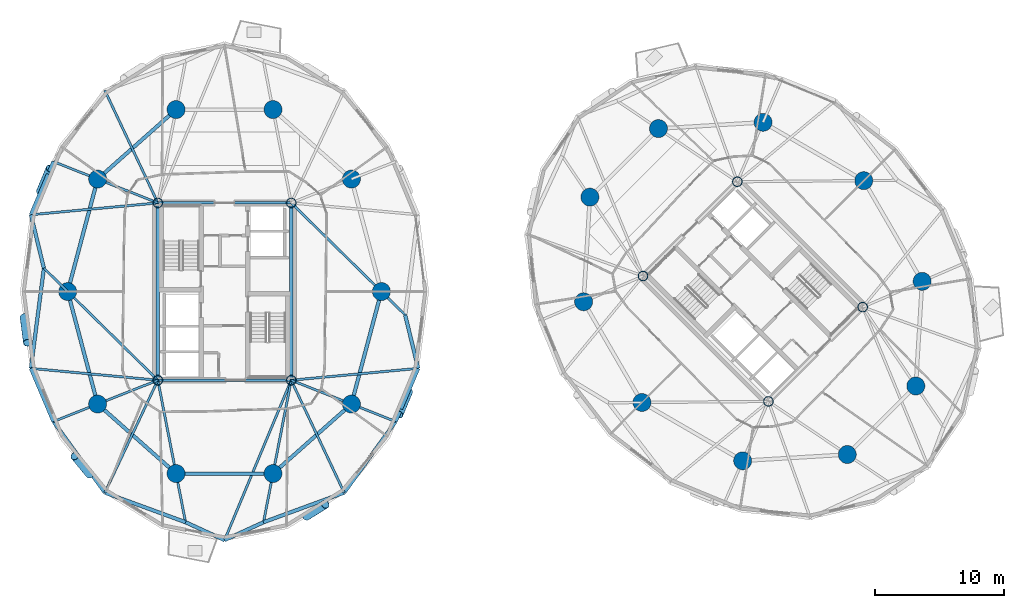
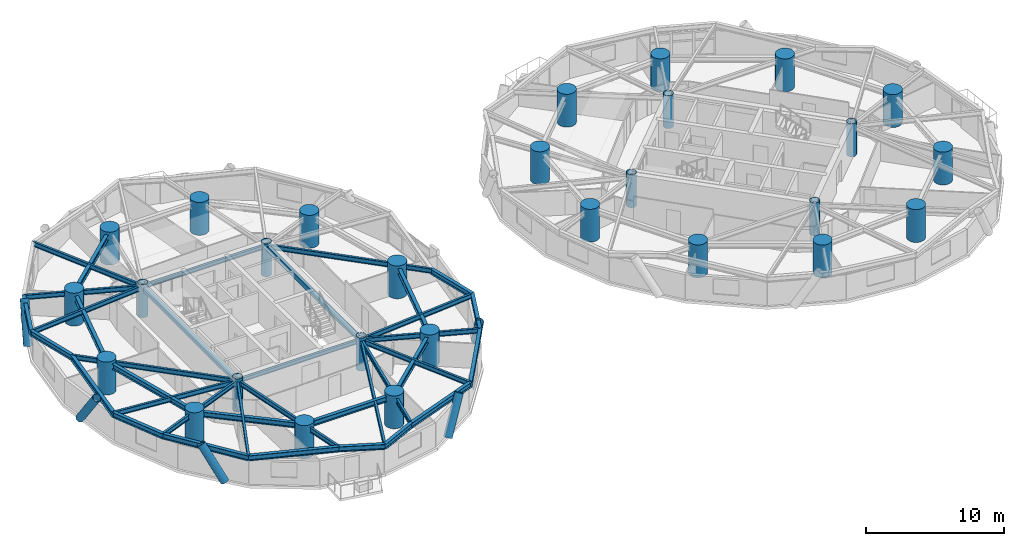
# One storey, part 1 of 17: 38 beams, 28 columns, 5 members.
"""IFC4 building model written with IfcOpenShell, lengths in metres."""

from ifc_helpers import new_model, si_unit, direction, frame, origin, origin_2d, place, context, subcontext, project, spatial, hollow_rectangle, circle, hollow_circle, i_section, extrude, material, material_profile, profile_set, type_object, element, save


model = new_model("IFC4")

# Units and contexts
model_context = context("Model", 3, precision=1e-05, world=origin(), true_north=direction((0.0, 1.0)))
body_context = subcontext(model_context, "Body", "Model", "MODEL_VIEW")
ifc_project = project(units=[si_unit("LENGTHUNIT", "METRE"), si_unit("AREAUNIT", "SQUARE_METRE"), si_unit("VOLUMEUNIT", "CUBIC_METRE"), si_unit("PLANEANGLEUNIT", "RADIAN"), si_unit("MASSUNIT", "GRAM", prefix="KILO")], contexts=[model_context])

# Site, building, storey
site_placement = place(None, origin())
site = spatial("IfcSite", under=ifc_project, at=site_placement, CompositionType="ELEMENT")
building_placement = place(site_placement, origin())
building = spatial("IfcBuilding", under=site, at=building_placement, Name="Cununo Teusaquillo Station Towers", CompositionType="ELEMENT")
storey_placement = place(building_placement, frame((0.0, 0.0, 96.340087890625)))
storey = spatial("IfcBuildingStorey", under=building, at=storey_placement, Name="L30", CompositionType="ELEMENT", Elevation=96.340087890625)

# Columns
ifc_material_1 = material(Name="Steel EN 10025-2 S355J2", Category="steel")
ifc_material_profile_1 = material_profile(ifc_material_1, hollow_circle(Radius=0.3798828125, WallThickness=0.031982421875, at=origin_2d()), Name="CHS 760x32")
ifc_profile_set_1 = profile_set([ifc_material_profile_1], Name="Steel EN 10025-2 S355J2")
column_type_1 = type_object("IfcColumnType", Name="COL-CORE-Z2", PredefinedType="COLUMN", material=ifc_profile_set_1)
for number, where, z_axis, x_axis, name in (
    (1, (11.324951171875, 17.6201171875, 0.0), (0.0, 0.0, 1.0), (1.0, 0.0, 0.0), "L30 Tower A Core Column 1"),
    (2, (11.324951171875, 31.3798828125, 0.0), (0.0, 0.0, 1.0), (1.0, 0.0, 0.0), "L30 Tower A Core Column 2"),
    (3, (21.675048828125, 17.6201171875, 0.0), (0.0, 0.0, 1.0), (1.0, 0.0, 0.0), "L30 Tower A Core Column 3"),
    (4, (21.675048828125, 31.3798828125, 0.0), (0.0, 0.0, 1.0), (1.0, 0.0, 0.0), "L30 Tower A Core Column 4"),
    (5, (58.70556640625, 15.975830078125, 0.0), (0.0, 0.0, 1.0), (0.707106781187, 0.707106781187, 0.0), "L30 Tower B Core Column 1"),
    (6, (48.975830078125, 25.70556640625, 0.0), (0.0, 0.0, 1.0), (0.707106781187, 0.707106781187, 0.0), "L30 Tower B Core Column 2"),
    (7, (66.024169921875, 23.29443359375, 0.0), (0.0, 0.0, 1.0), (0.707106781187, 0.707106781187, 0.0), "L30 Tower B Core Column 3"),
    (8, (56.29443359375, 33.024169921875, 0.0), (0.0, 0.0, 1.0), (0.707106781187, 0.707106781187, 0.0), "L30 Tower B Core Column 4"),
):
    element("IfcColumn", number, at=place(storey_placement, frame(where, z_axis=z_axis, x_axis=x_axis)), inside=storey, type_object=column_type_1, Name=name, PredefinedType="COLUMN", context=body_context, shape_type="SweptSolid", body=[
        extrude(hollow_circle(Radius=0.3798828125, WallThickness=0.031982421875, at=origin_2d()), origin(), (0.0, 0.0, 1.0), 2.909912109375),
    ])
ifc_material_2 = material(Name="Concrete C60/75", Category="concrete")
ifc_material_profile_2 = material_profile(ifc_material_2, circle(Radius=0.699951171875, at=origin_2d()), Name="RC-CIRC-1400")
ifc_profile_set_2 = profile_set([ifc_material_profile_2], Name="Concrete C60/75")
column_type_2 = type_object("IfcColumnType", Name="COL-MEGA-Z2", PredefinedType="USERDEFINED", material=ifc_profile_set_2)
for number, where, z_axis, x_axis, name in (
    (9, (28.672119140625, 24.5, 0.0), (0.0, 0.0, 1.0), (1.0, 0.0, 0.0), "L30 Tower A Perimeter Column V00"),
    (10, (26.347412109375, 33.228515625, 0.0), (0.0, 0.0, 1.0), (1.0, 0.0, 0.0), "L30 Tower A Perimeter Column V02"),
    (11, (20.261474609375, 38.623291015625, 0.0), (0.0, 0.0, 1.0), (1.0, 0.0, 0.0), "L30 Tower A Perimeter Column V04"),
    (12, (12.738525390625, 38.623291015625, 0.0), (0.0, 0.0, 1.0), (1.0, 0.0, 0.0), "L30 Tower A Perimeter Column V06"),
    (13, (6.652587890625, 33.228515625, 0.0), (0.0, 0.0, 1.0), (1.0, 0.0, 0.0), "L30 Tower A Perimeter Column V08"),
    (14, (4.327880859375, 24.5, 0.0), (0.0, 0.0, 1.0), (1.0, 0.0, 0.0), "L30 Tower A Perimeter Column V10"),
    (15, (6.652587890625, 15.771484375, 0.0), (0.0, 0.0, 1.0), (1.0, 0.0, 0.0), "L30 Tower A Perimeter Column V12"),
    (16, (12.738525390625, 10.376708984375, 0.0), (0.0, 0.0, 1.0), (1.0, 0.0, 0.0), "L30 Tower A Perimeter Column V14"),
    (17, (20.261474609375, 10.376708984375, 0.0), (0.0, 0.0, 1.0), (1.0, 0.0, 0.0), "L30 Tower A Perimeter Column V16"),
    (18, (26.347412109375, 15.771484375, 0.0), (0.0, 0.0, 1.0), (1.0, 0.0, 0.0), "L30 Tower A Perimeter Column V18"),
    (19, (66.10693359375, 33.10693359375, 0.0), (0.0, 0.0, 1.0), (1.0, 0.0, 0.0), "L30 Tower B Perimeter Column V00"),
    (20, (58.291015625, 37.63525390625, 0.0), (0.0, 0.0, 1.0), (1.0, 0.0, 0.0), "L30 Tower B Perimeter Column V02"),
    (21, (50.173095703125, 37.146240234375, 0.0), (0.0, 0.0, 1.0), (1.0, 0.0, 0.0), "L30 Tower B Perimeter Column V04"),
    (22, (44.853759765625, 31.826904296875, 0.0), (0.0, 0.0, 1.0), (1.0, 0.0, 0.0), "L30 Tower B Perimeter Column V06"),
    (23, (44.36474609375, 23.708984375, 0.0), (0.0, 0.0, 1.0), (1.0, 0.0, 0.0), "L30 Tower B Perimeter Column V08"),
    (24, (48.89306640625, 15.89306640625, 0.0), (0.0, 0.0, 1.0), (1.0, 0.0, 0.0), "L30 Tower B Perimeter Column V10"),
    (25, (56.708984375, 11.36474609375, 0.0), (0.0, 0.0, 1.0), (1.0, 0.0, 0.0), "L30 Tower B Perimeter Column V12"),
    (26, (64.826904296875, 11.853759765625, 0.0), (0.0, 0.0, 1.0), (1.0, 0.0, 0.0), "L30 Tower B Perimeter Column V14"),
    (27, (70.146240234375, 17.173095703125, 0.0), (0.0, 0.0, 1.0), (1.0, 0.0, 0.0), "L30 Tower B Perimeter Column V16"),
    (28, (70.63525390625, 25.291015625, 0.0), (0.0, 0.0, 1.0), (1.0, 0.0, 0.0), "L30 Tower B Perimeter Column V18"),
):
    element("IfcColumn", number, at=place(storey_placement, frame(where, z_axis=z_axis, x_axis=x_axis)), inside=storey, type_object=column_type_2, Name=name, ObjectType="MEGA COLUMN", PredefinedType="USERDEFINED", context=body_context, shape_type="SweptSolid", body=[
        extrude(circle(Radius=0.699951171875, at=origin_2d()), origin(), (0.0, 0.0, 1.0), 2.909912109375),
    ])

# Beams
ifc_material_3 = material(Name="Steel EN 10025-2 S355J2", Category="steel")
ifc_material_profile_3 = material_profile(ifc_material_3, hollow_rectangle(XDim=0.25, YDim=0.449951171875, WallThickness=0.01611328125, at=origin_2d()), Name="RHS 450x250x16")
ifc_profile_set_3 = profile_set([ifc_material_profile_3], Name="Steel EN 10025-2 S355J2")
beam_type_1 = type_object("IfcBeamType", Name="BM-COUP-1", PredefinedType="USERDEFINED", material=ifc_profile_set_3)
for number, where, z_axis, x_axis, name in (
    (29, (11.324951171875, 17.6201171875, 2.44482421875), (0.0, 1.0, 0.0), (-1.0, 0.0, 0.0), "L30 Tower A Core Beam 1"),
    (30, (21.675048828125, 17.6201171875, 2.44482421875), (0.0, 1.0, 0.0), (-1.0, 0.0, 0.0), "L30 Tower A Core Beam 2"),
):
    element("IfcBeam", number, at=place(storey_placement, frame(where, z_axis=z_axis, x_axis=x_axis)), inside=storey, type_object=beam_type_1, Name=name, ObjectType="COUPLING BEAM", PredefinedType="USERDEFINED", context=body_context, shape_type="SweptSolid", body=[
        extrude(hollow_rectangle(XDim=0.25, YDim=0.449951171875, WallThickness=0.01611328125, at=origin_2d()), origin(), (0.0, 0.0, 1.0), 13.759765625),
    ])
ifc_material_4 = material(Name="Steel ASTM A572 Grade 50", Category="steel")
ifc_material_profile_4 = material_profile(ifc_material_4, i_section(OverallWidth=0.180908203125, OverallDepth=0.4169921875, WebThickness=0.010986328125, FlangeThickness=0.018310546875, FilletRadius=0.012939453125, at=origin_2d()), Name="W16X57")
ifc_profile_set_4 = profile_set([ifc_material_profile_4], Name="Steel ASTM A572 Grade 50")
beam_type_2 = type_object("IfcBeamType", Name="BM-JOIST-1", PredefinedType="JOIST", material=ifc_profile_set_4)
beam_1_placement = place(storey_placement, frame((11.324951171875, 31.3798828125, 2.46142578125), z_axis=(-0.426319838016, 0.904572493344, 0.0), x_axis=(-0.904572493344, -0.426319838016, 0.0)))
element("IfcBeam", 31, at=beam_1_placement, inside=storey, type_object=beam_type_2, Name="L30 Tower A Radial Spandrel Joist V07", PredefinedType="JOIST", context=body_context, shape_type="SweptSolid", body=[
    extrude(i_section(OverallWidth=0.180908203125, OverallDepth=0.4169921875, WebThickness=0.010986328125, FlangeThickness=0.018310546875, FilletRadius=0.012939453125, at=origin_2d()), origin(), (0.0, 0.0, 1.0), 9.646728515625),
])
for number, where, z_axis, x_axis, name in (
    (32, (11.324951171875, 31.3798828125, 2.46142578125), (-0.995678537907, -0.09286683558, 0.0), (0.09286683558, -0.995678537907, 0.0), "L30 Tower A Radial Spandrel Joist V09"),
    (33, (11.324951171875, 17.6201171875, 2.46142578125), (-0.995678537907, 0.09286683558, 0.0), (-0.09286683558, -0.995678537907, 0.0), "L30 Tower A Radial Spandrel Joist V11"),
):
    element("IfcBeam", number, at=place(storey_placement, frame(where, z_axis=z_axis, x_axis=x_axis)), inside=storey, type_object=beam_type_2, Name=name, PredefinedType="JOIST", context=body_context, shape_type="SweptSolid", body=[
        extrude(i_section(OverallWidth=0.180908203125, OverallDepth=0.4169921875, WebThickness=0.010986328125, FlangeThickness=0.018310546875, FilletRadius=0.012939453125, at=origin_2d()), origin(), (0.0, 0.0, 1.0), 9.895263671875),
    ])
beam_2_placement = place(storey_placement, frame((11.324951171875, 17.6201171875, 2.46142578125), z_axis=(-0.426319838016, -0.904572493344, 0.0), x_axis=(0.904572493344, -0.426319838016, 0.0)))
element("IfcBeam", 34, at=beam_2_placement, inside=storey, type_object=beam_type_2, Name="L30 Tower A Radial Spandrel Joist V13", PredefinedType="JOIST", context=body_context, shape_type="SweptSolid", body=[
    extrude(i_section(OverallWidth=0.180908203125, OverallDepth=0.4169921875, WebThickness=0.010986328125, FlangeThickness=0.018310546875, FilletRadius=0.012939453125, at=origin_2d()), origin(), (0.0, 0.0, 1.0), 9.646728515625),
])
beam_3_placement = place(storey_placement, frame((21.675048828125, 17.6201171875, 2.46142578125), z_axis=(-0.38487837995, -0.922967297713, 0.0), x_axis=(0.922967297713, -0.38487837995, 0.0)))
element("IfcBeam", 35, at=beam_3_placement, inside=storey, type_object=beam_type_2, Name="L30 Tower A Radial Spandrel Joist V15", PredefinedType="JOIST", context=body_context, shape_type="SweptSolid", body=[
    extrude(i_section(OverallWidth=0.180908203125, OverallDepth=0.4169921875, WebThickness=0.010986328125, FlangeThickness=0.018310546875, FilletRadius=0.012939453125, at=origin_2d()), origin(), (0.0, 0.0, 1.0), 13.446044921875),
])
beam_4_placement = place(storey_placement, frame((21.675048828125, 17.6201171875, 2.46142578125), z_axis=(0.426319838016, -0.904572493344, 0.0), x_axis=(0.904572493344, 0.426319838016, 0.0)))
element("IfcBeam", 36, at=beam_4_placement, inside=storey, type_object=beam_type_2, Name="L30 Tower A Radial Spandrel Joist V17", PredefinedType="JOIST", context=body_context, shape_type="SweptSolid", body=[
    extrude(i_section(OverallWidth=0.180908203125, OverallDepth=0.4169921875, WebThickness=0.010986328125, FlangeThickness=0.018310546875, FilletRadius=0.012939453125, at=origin_2d()), origin(), (0.0, 0.0, 1.0), 9.646728515625),
])
beam_5_placement = place(storey_placement, frame((21.675048828125, 17.6201171875, 2.46142578125), z_axis=(0.995678537907, 0.09286683558, 0.0), x_axis=(-0.09286683558, 0.995678537907, 0.0)))
element("IfcBeam", 37, at=beam_5_placement, inside=storey, type_object=beam_type_2, Name="L30 Tower A Radial Spandrel Joist V19", PredefinedType="JOIST", context=body_context, shape_type="SweptSolid", body=[
    extrude(i_section(OverallWidth=0.180908203125, OverallDepth=0.4169921875, WebThickness=0.010986328125, FlangeThickness=0.018310546875, FilletRadius=0.012939453125, at=origin_2d()), origin(), (0.0, 0.0, 1.0), 9.895263671875),
])
ifc_material_5 = material(Name="Steel ASTM A572 Grade 50", Category="steel")
ifc_material_profile_5 = material_profile(ifc_material_5, i_section(OverallWidth=0.2041015625, OverallDepth=0.35009765625, WebThickness=0.008544921875, FlangeThickness=0.01513671875, FilletRadius=0.011962890625, at=origin_2d()), Name="W14X48")
ifc_profile_set_5 = profile_set([ifc_material_profile_5], Name="Steel ASTM A572 Grade 50")
beam_type_3 = type_object("IfcBeamType", Name="BM-LINTEL-1", PredefinedType="LINTEL", material=ifc_profile_set_5)
for number, where, z_axis, x_axis, name in (
    (38, (11.324951171875, 17.6201171875, 2.494873046875), (1.0, 0.0, 0.0), (0.0, 1.0, 0.0), "L30 Tower A Core Beam 3"),
    (39, (11.324951171875, 31.3798828125, 2.494873046875), (1.0, 0.0, 0.0), (0.0, 1.0, 0.0), "L30 Tower A Core Beam 4"),
):
    element("IfcBeam", number, at=place(storey_placement, frame(where, z_axis=z_axis, x_axis=x_axis)), inside=storey, type_object=beam_type_3, Name=name, PredefinedType="LINTEL", context=body_context, shape_type="SweptSolid", body=[
        extrude(i_section(OverallWidth=0.2041015625, OverallDepth=0.35009765625, WebThickness=0.008544921875, FlangeThickness=0.01513671875, FilletRadius=0.011962890625, at=origin_2d()), origin(), (0.0, 0.0, 1.0), 10.35009765625),
    ])
ifc_material_6 = material(Name="Steel ASTM A572 Grade 50", Category="steel")
ifc_material_profile_6 = material_profile(ifc_material_6, i_section(OverallWidth=0.180908203125, OverallDepth=0.4169921875, WebThickness=0.010986328125, FlangeThickness=0.018310546875, FilletRadius=0.012939453125, at=origin_2d()), Name="W16X57")
ifc_profile_set_6 = profile_set([ifc_material_profile_6], Name="Steel ASTM A572 Grade 50")
beam_type_4 = type_object("IfcBeamType", Name="BM-RAD-G2", PredefinedType="BEAM", material=ifc_profile_set_6)
beam_6_placement = place(storey_placement, frame((21.675048828125, 31.3798828125, 2.46142578125), z_axis=(0.713047137857, -0.701116095375, 0.0), x_axis=(0.701116095375, 0.713047137857, 0.0)))
element("IfcBeam", 40, at=beam_6_placement, inside=storey, type_object=beam_type_4, Name="L30 Tower A Continuous Overhanging Radial Girder 01", PredefinedType="BEAM", context=body_context, shape_type="SweptSolid", body=[
    extrude(i_section(OverallWidth=0.180908203125, OverallDepth=0.4169921875, WebThickness=0.010986328125, FlangeThickness=0.018310546875, FilletRadius=0.012939453125, at=origin_2d()), origin(), (0.0, 0.0, 1.0), 12.400390625),
])
beam_7_placement = place(storey_placement, frame((11.324951171875, 31.3798828125, 2.46142578125), z_axis=(-0.929863123823, 0.367905654963, 0.0), x_axis=(-0.367905654963, -0.929863123823, 0.0)))
element("IfcBeam", 41, at=beam_7_placement, inside=storey, type_object=beam_type_4, Name="L30 Tower A Continuous Overhanging Radial Girder 05", PredefinedType="BEAM", context=body_context, shape_type="SweptSolid", body=[
    extrude(i_section(OverallWidth=0.180908203125, OverallDepth=0.4169921875, WebThickness=0.010986328125, FlangeThickness=0.018310546875, FilletRadius=0.012939453125, at=origin_2d()), origin(), (0.0, 0.0, 1.0), 8.715087890625),
])
beam_8_placement = place(storey_placement, frame((11.324951171875, 17.6201171875, 2.46142578125), z_axis=(-0.713052701438, 0.701110437073, 0.0), x_axis=(-0.701110437073, -0.713052701438, 0.0)))
element("IfcBeam", 42, at=beam_8_placement, inside=storey, type_object=beam_type_4, Name="L30 Tower A Radial Girder 06A", PredefinedType="BEAM", context=body_context, shape_type="SweptSolid", body=[
    extrude(i_section(OverallWidth=0.180908203125, OverallDepth=0.4169921875, WebThickness=0.010986328125, FlangeThickness=0.018310546875, FilletRadius=0.012939453125, at=origin_2d()), origin(), (0.0, 0.0, 1.0), 9.812744140625),
])
beam_9_placement = place(storey_placement, frame((4.327880859375, 24.5, 2.46142578125), z_axis=(-0.7130260383, 0.701137553342, 0.0), x_axis=(-0.701137553342, -0.7130260383, 0.0)))
element("IfcBeam", 43, at=beam_9_placement, inside=storey, type_object=beam_type_4, Name="L30 Tower A Perimeter Overhang Girder 06B", PredefinedType="BEAM", context=body_context, shape_type="SweptSolid", body=[
    extrude(i_section(OverallWidth=0.180908203125, OverallDepth=0.4169921875, WebThickness=0.010986328125, FlangeThickness=0.018310546875, FilletRadius=0.012939453125, at=origin_2d()), origin(), (0.0, 0.0, 1.0), 2.58740234375),
])
beam_10_placement = place(storey_placement, frame((11.324951171875, 17.6201171875, 2.46142578125), z_axis=(-0.929863123823, -0.367905654963, 0.0), x_axis=(0.367905654963, -0.929863123823, 0.0)))
element("IfcBeam", 44, at=beam_10_placement, inside=storey, type_object=beam_type_4, Name="L30 Tower A Continuous Overhanging Radial Girder 07", PredefinedType="BEAM", context=body_context, shape_type="SweptSolid", body=[
    extrude(i_section(OverallWidth=0.180908203125, OverallDepth=0.4169921875, WebThickness=0.010986328125, FlangeThickness=0.018310546875, FilletRadius=0.012939453125, at=origin_2d()), origin(), (0.0, 0.0, 1.0), 8.715087890625),
])
for number, where, z_axis, x_axis, name in (
    (45, (11.324951171875, 17.6201171875, 2.46142578125), (0.191552755713, -0.981482318628, 0.0), (0.981482318628, 0.191552755713, 0.0), "L30 Tower A Continuous Overhanging Radial Girder 08"),
    (46, (21.675048828125, 17.6201171875, 2.46142578125), (-0.191552755713, -0.981482318628, 0.0), (0.981482318628, -0.191552755713, 0.0), "L30 Tower A Continuous Overhanging Radial Girder 09"),
):
    element("IfcBeam", number, at=place(storey_placement, frame(where, z_axis=z_axis, x_axis=x_axis)), inside=storey, type_object=beam_type_4, Name=name, PredefinedType="BEAM", context=body_context, shape_type="SweptSolid", body=[
        extrude(i_section(OverallWidth=0.180908203125, OverallDepth=0.4169921875, WebThickness=0.010986328125, FlangeThickness=0.018310546875, FilletRadius=0.012939453125, at=origin_2d()), origin(), (0.0, 0.0, 1.0), 11.22998046875),
    ])
beam_11_placement = place(storey_placement, frame((21.675048828125, 17.6201171875, 2.46142578125), z_axis=(0.929863123823, -0.367905654963, 0.0), x_axis=(0.367905654963, 0.929863123823, 0.0)))
element("IfcBeam", 47, at=beam_11_placement, inside=storey, type_object=beam_type_4, Name="L30 Tower A Continuous Overhanging Radial Girder 10", PredefinedType="BEAM", context=body_context, shape_type="SweptSolid", body=[
    extrude(i_section(OverallWidth=0.180908203125, OverallDepth=0.4169921875, WebThickness=0.010986328125, FlangeThickness=0.018310546875, FilletRadius=0.012939453125, at=origin_2d()), origin(), (0.0, 0.0, 1.0), 8.715087890625),
])
ifc_material_7 = material(Name="Steel ASTM A572 Grade 50", Category="steel")
ifc_material_profile_7 = material_profile(ifc_material_7, i_section(OverallWidth=0.280029296875, OverallDepth=0.462890625, WebThickness=0.0107421875, FlangeThickness=0.017333984375, FilletRadius=0.013916015625, at=origin_2d()), Name="W18X76")
ifc_profile_set_7 = profile_set([ifc_material_profile_7], Name="Steel ASTM A572 Grade 50")
beam_type_5 = type_object("IfcBeamType", Name="BM-RING-Z2", PredefinedType="SPANDREL", material=ifc_profile_set_7)
beam_12_placement = place(storey_placement, frame((12.738525390625, 38.623291015625, 2.4384765625), z_axis=(-0.74832120039, -0.66333655187, 0.0), x_axis=(0.66333655187, -0.74832120039, 0.0)))
element("IfcBeam", 48, at=beam_12_placement, inside=storey, type_object=beam_type_5, Name="L30 Tower A Structural Column Ring Girder 04", PredefinedType="SPANDREL", context=body_context, shape_type="SweptSolid", body=[
    extrude(i_section(OverallWidth=0.280029296875, OverallDepth=0.462890625, WebThickness=0.0107421875, FlangeThickness=0.017333984375, FilletRadius=0.013916015625, at=origin_2d()), origin(), (0.0, 0.0, 1.0), 8.1328125),
])
for number, where, z_axis, x_axis, name in (
    (49, (6.652587890625, 33.228515625, 2.4384765625), (-0.257363196347, -0.966314744359, 0.0), (0.966314744359, -0.257363196347, 0.0), "L30 Tower A Structural Column Ring Girder 05"),
    (50, (4.327880859375, 24.5, 2.4384765625), (0.257363196347, -0.966314744359, 0.0), (0.966314744359, 0.257363196347, 0.0), "L30 Tower A Structural Column Ring Girder 06"),
):
    element("IfcBeam", number, at=place(storey_placement, frame(where, z_axis=z_axis, x_axis=x_axis)), inside=storey, type_object=beam_type_5, Name=name, PredefinedType="SPANDREL", context=body_context, shape_type="SweptSolid", body=[
        extrude(i_section(OverallWidth=0.280029296875, OverallDepth=0.462890625, WebThickness=0.0107421875, FlangeThickness=0.017333984375, FilletRadius=0.013916015625, at=origin_2d()), origin(), (0.0, 0.0, 1.0), 9.03271484375),
    ])
beam_13_placement = place(storey_placement, frame((6.652587890625, 15.771484375, 2.4384765625), z_axis=(0.74832120039, -0.66333655187, 0.0), x_axis=(0.66333655187, 0.74832120039, 0.0)))
element("IfcBeam", 51, at=beam_13_placement, inside=storey, type_object=beam_type_5, Name="L30 Tower A Structural Column Ring Girder 07", PredefinedType="SPANDREL", context=body_context, shape_type="SweptSolid", body=[
    extrude(i_section(OverallWidth=0.280029296875, OverallDepth=0.462890625, WebThickness=0.0107421875, FlangeThickness=0.017333984375, FilletRadius=0.013916015625, at=origin_2d()), origin(), (0.0, 0.0, 1.0), 8.1328125),
])
beam_14_placement = place(storey_placement, frame((12.738525390625, 10.376708984375, 2.4384765625), z_axis=(1.0, 0.0, 0.0), x_axis=(0.0, 1.0, 0.0)))
element("IfcBeam", 52, at=beam_14_placement, inside=storey, type_object=beam_type_5, Name="L30 Tower A Structural Column Ring Girder 08", PredefinedType="SPANDREL", context=body_context, shape_type="SweptSolid", body=[
    extrude(i_section(OverallWidth=0.280029296875, OverallDepth=0.462890625, WebThickness=0.0107421875, FlangeThickness=0.017333984375, FilletRadius=0.013916015625, at=origin_2d()), origin(), (0.0, 0.0, 1.0), 7.52294921875),
])
beam_15_placement = place(storey_placement, frame((20.261474609375, 10.376708984375, 2.4384765625), z_axis=(0.74832120039, 0.66333655187, 0.0), x_axis=(-0.66333655187, 0.74832120039, 0.0)))
element("IfcBeam", 53, at=beam_15_placement, inside=storey, type_object=beam_type_5, Name="L30 Tower A Structural Column Ring Girder 09", PredefinedType="SPANDREL", context=body_context, shape_type="SweptSolid", body=[
    extrude(i_section(OverallWidth=0.280029296875, OverallDepth=0.462890625, WebThickness=0.0107421875, FlangeThickness=0.017333984375, FilletRadius=0.013916015625, at=origin_2d()), origin(), (0.0, 0.0, 1.0), 8.1328125),
])
beam_16_placement = place(storey_placement, frame((26.347412109375, 15.771484375, 2.4384765625), z_axis=(0.257363196347, 0.966314744359, 0.0), x_axis=(-0.966314744359, 0.257363196347, 0.0)))
element("IfcBeam", 54, at=beam_16_placement, inside=storey, type_object=beam_type_5, Name="L30 Tower A Structural Column Ring Girder 10", PredefinedType="SPANDREL", context=body_context, shape_type="SweptSolid", body=[
    extrude(i_section(OverallWidth=0.280029296875, OverallDepth=0.462890625, WebThickness=0.0107421875, FlangeThickness=0.017333984375, FilletRadius=0.013916015625, at=origin_2d()), origin(), (0.0, 0.0, 1.0), 9.03271484375),
])
beam_17_placement = place(storey_placement, frame((3.22119140625, 34.586181640625, 2.4384765625), z_axis=(-0.390299356049, -0.920688010494, 0.0), x_axis=(0.920688010494, -0.390299356049, 0.0)))
element("IfcBeam", 55, at=beam_17_placement, inside=storey, type_object=beam_type_5, Name="L30 Tower A Spandrel Ring Beam 09", PredefinedType="SPANDREL", context=body_context, shape_type="SweptSolid", body=[
    extrude(i_section(OverallWidth=0.280029296875, OverallDepth=0.462890625, WebThickness=0.0107421875, FlangeThickness=0.017333984375, FilletRadius=0.013916015625, at=origin_2d()), origin(), (0.0, 0.0, 1.0), 4.480712890625),
])
beam_18_placement = place(storey_placement, frame((1.472412109375, 30.4609375, 2.4384765625), z_axis=(0.236757334703, -0.971568816124, 0.0), x_axis=(0.971568816124, 0.236757334703, 0.0)))
element("IfcBeam", 56, at=beam_18_placement, inside=storey, type_object=beam_type_5, Name="L30 Tower A Spandrel Ring Beam 10", PredefinedType="SPANDREL", context=body_context, shape_type="SweptSolid", body=[
    extrude(i_section(OverallWidth=0.280029296875, OverallDepth=0.462890625, WebThickness=0.0107421875, FlangeThickness=0.017333984375, FilletRadius=0.013916015625, at=origin_2d()), origin(), (0.0, 0.0, 1.0), 4.26806640625),
])
beam_19_placement = place(storey_placement, frame((2.48291015625, 26.314208984375, 2.4384765625), z_axis=(-0.12888124113, -0.991660035337, 0.0), x_axis=(0.991660035337, -0.12888124113, 0.0)))
element("IfcBeam", 57, at=beam_19_placement, inside=storey, type_object=beam_type_5, Name="L30 Tower A Spandrel Ring Beam 11", PredefinedType="SPANDREL", context=body_context, shape_type="SweptSolid", body=[
    extrude(i_section(OverallWidth=0.280029296875, OverallDepth=0.462890625, WebThickness=0.0107421875, FlangeThickness=0.017333984375, FilletRadius=0.013916015625, at=origin_2d()), origin(), (0.0, 0.0, 1.0), 7.840576171875),
])
beam_20_placement = place(storey_placement, frame((1.472412109375, 18.5390625, 2.4384765625), z_axis=(0.390299356049, -0.920688010494, 0.0), x_axis=(0.920688010494, 0.390299356049, 0.0)))
element("IfcBeam", 58, at=beam_20_placement, inside=storey, type_object=beam_type_5, Name="L30 Tower A Spandrel Ring Beam 12", PredefinedType="SPANDREL", context=body_context, shape_type="SweptSolid", body=[
    extrude(i_section(OverallWidth=0.280029296875, OverallDepth=0.462890625, WebThickness=0.0107421875, FlangeThickness=0.017333984375, FilletRadius=0.013916015625, at=origin_2d()), origin(), (0.0, 0.0, 1.0), 4.480712890625),
])
beam_21_placement = place(storey_placement, frame((3.22119140625, 14.413818359375, 2.4384765625), z_axis=(0.58594455724, -0.810351143543, 0.0), x_axis=(0.810351143543, 0.58594455724, 0.0)))
element("IfcBeam", 59, at=beam_21_placement, inside=storey, type_object=beam_type_5, Name="L30 Tower A Spandrel Ring Beam 13", PredefinedType="SPANDREL", context=body_context, shape_type="SweptSolid", body=[
    extrude(i_section(OverallWidth=0.280029296875, OverallDepth=0.462890625, WebThickness=0.0107421875, FlangeThickness=0.017333984375, FilletRadius=0.013916015625, at=origin_2d()), origin(), (0.0, 0.0, 1.0), 6.8115234375),
])
beam_22_placement = place(storey_placement, frame((7.21240234375, 8.89404296875, 2.4384765625), z_axis=(0.938914161016, -0.34415141761, 0.0), x_axis=(0.34415141761, 0.938914161016, 0.0)))
element("IfcBeam", 60, at=beam_22_placement, inside=storey, type_object=beam_type_5, Name="L30 Tower A Spandrel Ring Beam 14", PredefinedType="SPANDREL", context=body_context, shape_type="SweptSolid", body=[
    extrude(i_section(OverallWidth=0.280029296875, OverallDepth=0.462890625, WebThickness=0.0107421875, FlangeThickness=0.017333984375, FilletRadius=0.013916015625, at=origin_2d()), origin(), (0.0, 0.0, 1.0), 6.671142578125),
])
for number, where, z_axis, x_axis, name in (
    (61, (13.47607421875, 6.59814453125, 2.4384765625), (0.908812215281, -0.417205413862, 0.0), (0.417205413862, 0.908812215281, 0.0), "L30 Tower A Spandrel Ring Beam 15"),
    (62, (16.5, 5.2099609375, 2.4384765625), (0.908812215281, 0.417205413862, 0.0), (-0.417205413862, 0.908812215281, 0.0), "L30 Tower A Spandrel Ring Beam 16"),
):
    element("IfcBeam", number, at=place(storey_placement, frame(where, z_axis=z_axis, x_axis=x_axis)), inside=storey, type_object=beam_type_5, Name=name, PredefinedType="SPANDREL", context=body_context, shape_type="SweptSolid", body=[
        extrude(i_section(OverallWidth=0.280029296875, OverallDepth=0.462890625, WebThickness=0.0107421875, FlangeThickness=0.017333984375, FilletRadius=0.013916015625, at=origin_2d()), origin(), (0.0, 0.0, 1.0), 3.327392578125),
    ])
beam_23_placement = place(storey_placement, frame((19.52392578125, 6.59814453125, 2.4384765625), z_axis=(0.938914161016, 0.34415141761, 0.0), x_axis=(-0.34415141761, 0.938914161016, 0.0)))
element("IfcBeam", 63, at=beam_23_placement, inside=storey, type_object=beam_type_5, Name="L30 Tower A Spandrel Ring Beam 17", PredefinedType="SPANDREL", context=body_context, shape_type="SweptSolid", body=[
    extrude(i_section(OverallWidth=0.280029296875, OverallDepth=0.462890625, WebThickness=0.0107421875, FlangeThickness=0.017333984375, FilletRadius=0.013916015625, at=origin_2d()), origin(), (0.0, 0.0, 1.0), 6.671142578125),
])
beam_24_placement = place(storey_placement, frame((25.78759765625, 8.89404296875, 2.4384765625), z_axis=(0.58594455724, 0.810351143543, 0.0), x_axis=(-0.810351143543, 0.58594455724, 0.0)))
element("IfcBeam", 64, at=beam_24_placement, inside=storey, type_object=beam_type_5, Name="L30 Tower A Spandrel Ring Beam 18", PredefinedType="SPANDREL", context=body_context, shape_type="SweptSolid", body=[
    extrude(i_section(OverallWidth=0.280029296875, OverallDepth=0.462890625, WebThickness=0.0107421875, FlangeThickness=0.017333984375, FilletRadius=0.013916015625, at=origin_2d()), origin(), (0.0, 0.0, 1.0), 6.8115234375),
])
beam_25_placement = place(storey_placement, frame((29.77880859375, 14.413818359375, 2.4384765625), z_axis=(0.390299356049, 0.920688010494, 0.0), x_axis=(-0.920688010494, 0.390299356049, 0.0)))
element("IfcBeam", 65, at=beam_25_placement, inside=storey, type_object=beam_type_5, Name="L30 Tower A Spandrel Ring Beam 19", PredefinedType="SPANDREL", context=body_context, shape_type="SweptSolid", body=[
    extrude(i_section(OverallWidth=0.280029296875, OverallDepth=0.462890625, WebThickness=0.0107421875, FlangeThickness=0.017333984375, FilletRadius=0.013916015625, at=origin_2d()), origin(), (0.0, 0.0, 1.0), 4.480712890625),
])
beam_26_placement = place(storey_placement, frame((31.527587890625, 18.5390625, 2.4384765625), z_axis=(-0.236757334703, 0.971568816124, 0.0), x_axis=(-0.971568816124, -0.236757334703, 0.0)))
element("IfcBeam", 66, at=beam_26_placement, inside=storey, type_object=beam_type_5, Name="L30 Tower A Spandrel Ring Beam 20", PredefinedType="SPANDREL", context=body_context, shape_type="SweptSolid", body=[
    extrude(i_section(OverallWidth=0.280029296875, OverallDepth=0.462890625, WebThickness=0.0107421875, FlangeThickness=0.017333984375, FilletRadius=0.013916015625, at=origin_2d()), origin(), (0.0, 0.0, 1.0), 4.26806640625),
])

# Members
ifc_material_8 = material(Name="Steel EN 10025-2 S355J2", Category="steel")
ifc_material_profile_8 = material_profile(ifc_material_8, hollow_circle(Radius=0.330078125, WallThickness=0.02490234375, at=origin_2d()), Name="CHS 660x25")
ifc_profile_set_8 = profile_set([ifc_material_profile_8], Name="Steel EN 10025-2 S355J2")
member_type = type_object("IfcMemberType", Name="MBR-DIAG-Z2", PredefinedType="BRACE", material=ifc_profile_set_8)
member_1_placement = place(storey_placement, frame((2.220458984375, 32.25341796875, -0.14013671875), z_axis=(0.213801258435, 0.512313589893, 0.831759464931), x_axis=(-0.922861086318, 0.385132983993, 0.0)))
element("IfcMember", 67, at=member_1_placement, inside=storey, type_object=member_type, Name="L30 Tower A Folded-Zigzag Diagrid Tube C08", PredefinedType="BRACE", context=body_context, shape_type="SweptSolid", body=[
    extrude(hollow_circle(Radius=0.330078125, WallThickness=0.02490234375, at=origin_2d()), origin(), (0.0, 0.0, 1.0), 3.498779296875),
])
member_2_placement = place(storey_placement, frame((0.956787109375, 22.512939453125, -0.14013671875), z_axis=(0.072970268481, -0.562340951609, 0.823679545734), x_axis=(0.991685812096, 0.128682749763, 0.0)))
element("IfcMember", 68, at=member_2_placement, inside=storey, type_object=member_type, Name="L30 Tower A Folded-Zigzag Diagrid Tube C10", PredefinedType="BRACE", context=body_context, shape_type="SweptSolid", body=[
    extrude(hollow_circle(Radius=0.330078125, WallThickness=0.02490234375, at=origin_2d()), origin(), (0.0, 0.0, 1.0), 3.533203125),
])
member_3_placement = place(storey_placement, frame((6.047119140625, 10.316650390625, -0.14013671875), z_axis=(-0.338510463773, 0.413191276334, 0.845389635067), x_axis=(-0.773548952929, -0.633736552065, 0.0)))
element("IfcMember", 69, at=member_3_placement, inside=storey, type_object=member_type, Name="L30 Tower A Folded-Zigzag Diagrid Tube C12", PredefinedType="BRACE", context=body_context, shape_type="SweptSolid", body=[
    extrude(hollow_circle(Radius=0.330078125, WallThickness=0.02490234375, at=origin_2d()), origin(), (0.0, 0.0, 1.0), 3.4423828125),
])
member_4_placement = place(storey_placement, frame((22.85107421875, 7.0673828125, -0.14013671875), z_axis=(0.433741137774, 0.269808047292, 0.859693109789), x_axis=(-0.528195574716, 0.849122744278, 0.0)))
element("IfcMember", 70, at=member_4_placement, inside=storey, type_object=member_type, Name="L30 Tower A Folded-Zigzag Diagrid Tube C16", PredefinedType="BRACE", context=body_context, shape_type="SweptSolid", body=[
    extrude(hollow_circle(Radius=0.330078125, WallThickness=0.02490234375, at=origin_2d()), origin(), (0.0, 0.0, 1.0), 3.385009765625),
])
member_5_placement = place(storey_placement, frame((30.779541015625, 16.74658203125, -0.14013671875), z_axis=(-0.213801258435, -0.512313589893, 0.831759464931), x_axis=(0.922861086318, -0.385132983993, 0.0)))
element("IfcMember", 71, at=member_5_placement, inside=storey, type_object=member_type, Name="L30 Tower A Folded-Zigzag Diagrid Tube C18", PredefinedType="BRACE", context=body_context, shape_type="SweptSolid", body=[
    extrude(hollow_circle(Radius=0.330078125, WallThickness=0.02490234375, at=origin_2d()), origin(), (0.0, 0.0, 1.0), 3.498779296875),
])

save(model, "model.ifc")
